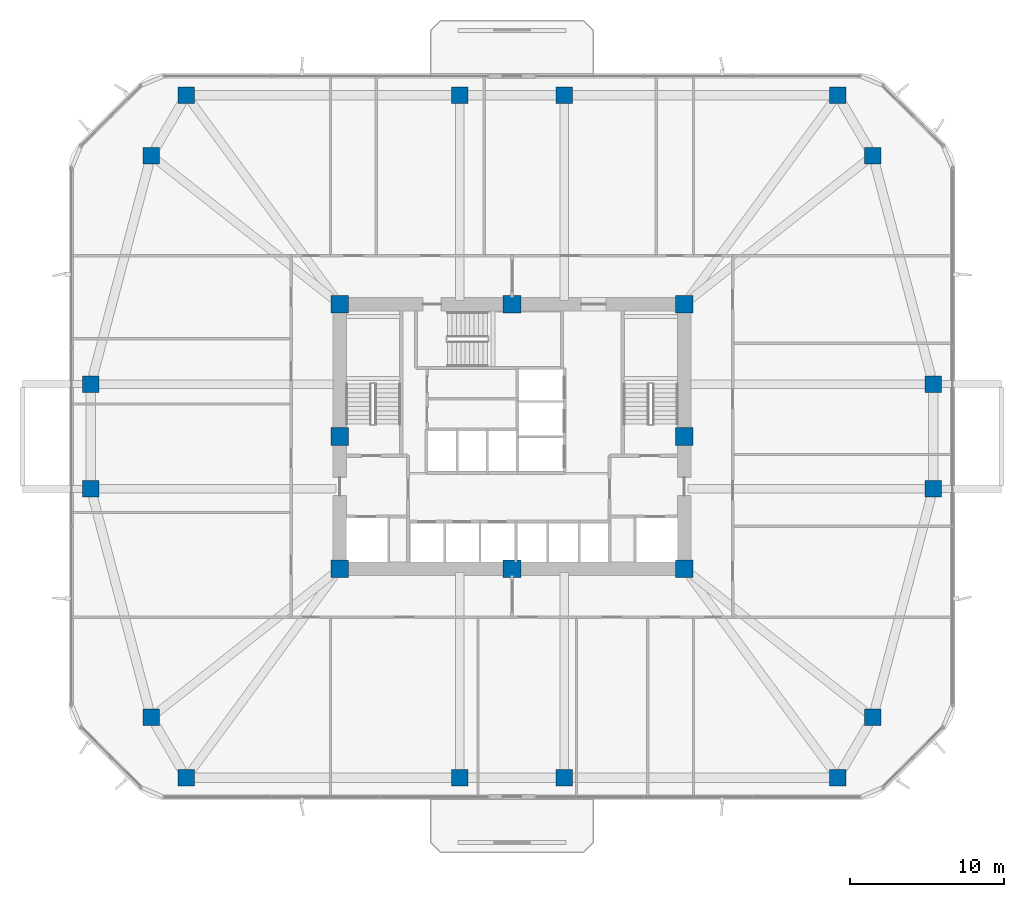
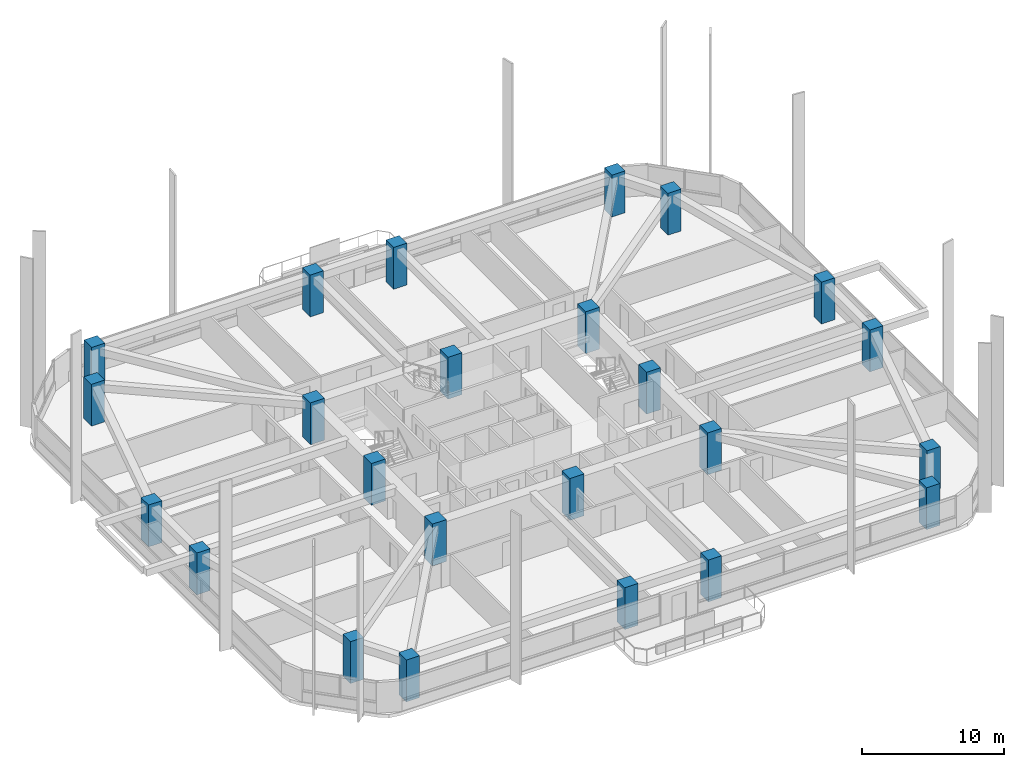
# One storey, part 1 of 17: 24 columns.
"""IFC4 building model written with IfcOpenShell, lengths in metres."""

from ifc_helpers import new_model, si_unit, derived_unit, direction, frame, origin, origin_2d, place, context, subcontext, project, spatial, rectangle, extrude, material, material_profile, profile_set, type_object, element, save


model = new_model("IFC4")

# Units and contexts
model_context = context("Model", 3, precision=1e-05, world=origin(), true_north=direction((0.0, 1.0)))
body_context = subcontext(model_context, "Body", "Model", "MODEL_VIEW")
ifc_project = project(units=[si_unit("LENGTHUNIT", "METRE"), si_unit("AREAUNIT", "SQUARE_METRE"), si_unit("VOLUMEUNIT", "CUBIC_METRE"), si_unit("PLANEANGLEUNIT", "RADIAN"), si_unit("MASSUNIT", "GRAM", prefix="KILO"), derived_unit("THERMALTRANSMITTANCEUNIT", [(si_unit("POWERUNIT", "WATT"), 1), (si_unit("LENGTHUNIT", "METRE"), -2), (si_unit("THERMODYNAMICTEMPERATUREUNIT", "KELVIN"), -1)])], contexts=[model_context])

# Site, building, storey
site_placement = place(None, origin())
site = spatial("IfcSite", under=ifc_project, at=site_placement, CompositionType="ELEMENT")
building_placement = place(site_placement, origin())
building = spatial("IfcBuilding", under=site, at=building_placement, Name="Koralith Skygarden Medical Center", CompositionType="ELEMENT")
storey_placement = place(building_placement, frame((0.0, 0.0, 38.340087890625)))
storey = spatial("IfcBuildingStorey", under=building, at=storey_placement, Name="L09", CompositionType="ELEMENT", Elevation=38.340087890625)

# Columns
ifc_material = material(Name="Concrete C70/85", Category="concrete")
ifc_material_profile_1 = material_profile(ifc_material, rectangle(XDim=1.139892578125, YDim=1.139892578125, at=origin_2d()), Name="RC1140X1140")
ifc_profile_set_1 = profile_set([ifc_material_profile_1], Name="Concrete C70/85")
column_type_1 = type_object("IfcColumnType", Name="Core Mega-Column C70 RC1140", PredefinedType="COLUMN", material=ifc_profile_set_1)
for number, where, z_axis, x_axis, name in (
    (1, (25.800048828125, 17.300048828125, 0.0), (0.0, 0.0, 1.0), (1.0, 0.0, 0.0), "L09 Core Column CC-01"),
    (2, (37.0, 17.300048828125, 0.0), (0.0, 0.0, 1.0), (1.0, 0.0, 0.0), "L09 Core Column CC-02"),
    (3, (48.199951171875, 17.300048828125, 0.0), (0.0, 0.0, 1.0), (1.0, 0.0, 0.0), "L09 Core Column CC-03"),
    (4, (48.199951171875, 25.89990234375, 0.0), (0.0, 0.0, 1.0), (1.0, 0.0, 0.0), "L09 Core Column CC-04"),
    (5, (48.199951171875, 34.5, 0.0), (0.0, 0.0, 1.0), (1.0, 0.0, 0.0), "L09 Core Column CC-05"),
    (6, (37.0, 34.5, 0.0), (0.0, 0.0, 1.0), (1.0, 0.0, 0.0), "L09 Core Column CC-06"),
    (7, (25.800048828125, 34.5, 0.0), (0.0, 0.0, 1.0), (1.0, 0.0, 0.0), "L09 Core Column CC-07"),
    (8, (25.800048828125, 25.89990234375, 0.0), (0.0, 0.0, 1.0), (1.0, 0.0, 0.0), "L09 Core Column CC-08"),
):
    element("IfcColumn", number, at=place(storey_placement, frame(where, z_axis=z_axis, x_axis=x_axis)), inside=storey, type_object=column_type_1, Name=name, PredefinedType="COLUMN", context=body_context, shape_type="SweptSolid", body=[
        extrude(rectangle(XDim=1.139892578125, YDim=1.139892578125, at=origin_2d()), origin(), (0.0, 0.0, 1.0), 3.599853515625),
    ])
ifc_material_profile_2 = material_profile(ifc_material, rectangle(XDim=1.080078125, YDim=1.080078125, at=origin_2d()), Name="RC1080X1080")
ifc_profile_set_2 = profile_set([ifc_material_profile_2], Name="Concrete C70/85")
column_type_2 = type_object("IfcColumnType", Name="Zone 1 Octagonal Mega-Column C70 RC1080", PredefinedType="COLUMN", material=ifc_profile_set_2)
for number, where, z_axis, x_axis, name in (
    (9, (9.6201171875, 22.5, 0.0), (0.0, 0.0, 1.0), (1.0, 0.0, 0.0), "L09 Perimeter Mega-Column MC-01"),
    (10, (13.5400390625, 7.639892578125, 0.0), (0.0, 0.0, 1.0), (1.0, 0.0, 0.0), "L09 Perimeter Mega-Column MC-02"),
    (11, (15.83203125, 3.719970703125, 0.0), (0.0, 0.0, 1.0), (1.0, 0.0, 0.0), "L09 Perimeter Mega-Column MC-03"),
    (12, (33.60009765625, 3.719970703125, 0.0), (0.0, 0.0, 1.0), (1.0, 0.0, 0.0), "L09 Perimeter Mega-Column MC-04"),
    (13, (40.39990234375, 3.719970703125, 0.0), (0.0, 0.0, 1.0), (1.0, 0.0, 0.0), "L09 Perimeter Mega-Column MC-05"),
    (14, (58.16796875, 3.719970703125, 0.0), (0.0, 0.0, 1.0), (1.0, 0.0, 0.0), "L09 Perimeter Mega-Column MC-06"),
    (15, (60.4599609375, 7.639892578125, 0.0), (0.0, 0.0, 1.0), (1.0, 0.0, 0.0), "L09 Perimeter Mega-Column MC-07"),
    (16, (64.3798828125, 22.5, 0.0), (0.0, 0.0, 1.0), (1.0, 0.0, 0.0), "L09 Perimeter Mega-Column MC-08"),
    (17, (64.3798828125, 29.300048828125, 0.0), (0.0, 0.0, 1.0), (1.0, 0.0, 0.0), "L09 Perimeter Mega-Column MC-09"),
    (18, (60.4599609375, 44.159912109375, 0.0), (0.0, 0.0, 1.0), (1.0, 0.0, 0.0), "L09 Perimeter Mega-Column MC-10"),
    (19, (58.16796875, 48.080078125, 0.0), (0.0, 0.0, 1.0), (1.0, 0.0, 0.0), "L09 Perimeter Mega-Column MC-11"),
    (20, (40.39990234375, 48.080078125, 0.0), (0.0, 0.0, 1.0), (1.0, 0.0, 0.0), "L09 Perimeter Mega-Column MC-12"),
    (21, (33.60009765625, 48.080078125, 0.0), (0.0, 0.0, 1.0), (1.0, 0.0, 0.0), "L09 Perimeter Mega-Column MC-13"),
    (22, (15.83203125, 48.080078125, 0.0), (0.0, 0.0, 1.0), (1.0, 0.0, 0.0), "L09 Perimeter Mega-Column MC-14"),
    (23, (13.5400390625, 44.159912109375, 0.0), (0.0, 0.0, 1.0), (1.0, 0.0, 0.0), "L09 Perimeter Mega-Column MC-15"),
    (24, (9.6201171875, 29.300048828125, 0.0), (0.0, 0.0, 1.0), (1.0, 0.0, 0.0), "L09 Perimeter Mega-Column MC-16"),
):
    element("IfcColumn", number, at=place(storey_placement, frame(where, z_axis=z_axis, x_axis=x_axis)), inside=storey, type_object=column_type_2, Name=name, PredefinedType="COLUMN", context=body_context, shape_type="SweptSolid", body=[
        extrude(rectangle(XDim=1.080078125, YDim=1.080078125, at=origin_2d()), origin(), (0.0, 0.0, 1.0), 3.599853515625),
    ])

save(model, "model.ifc")
